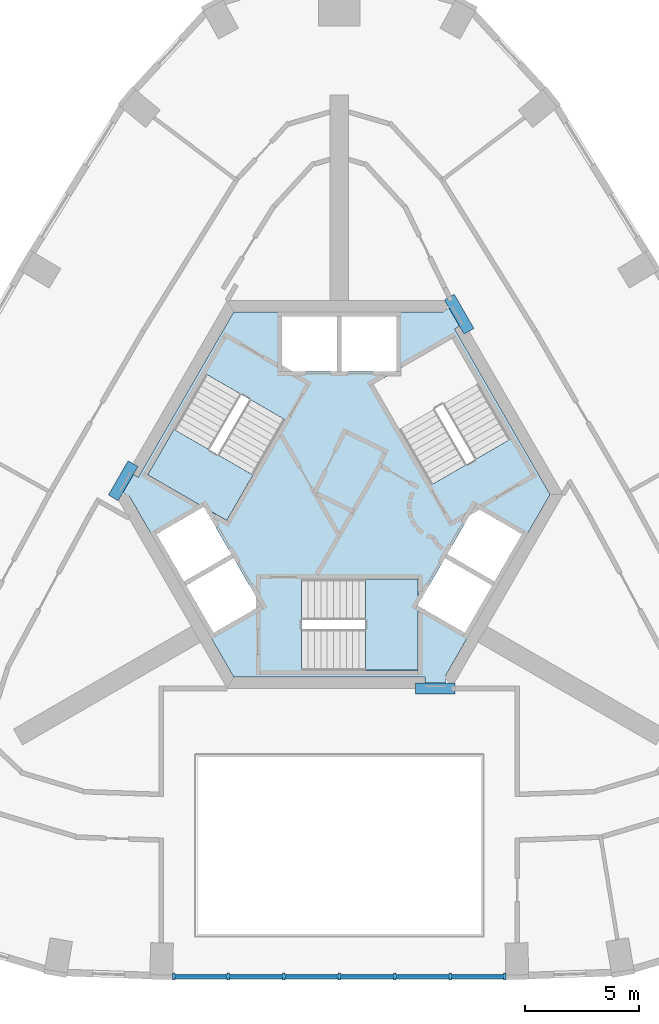
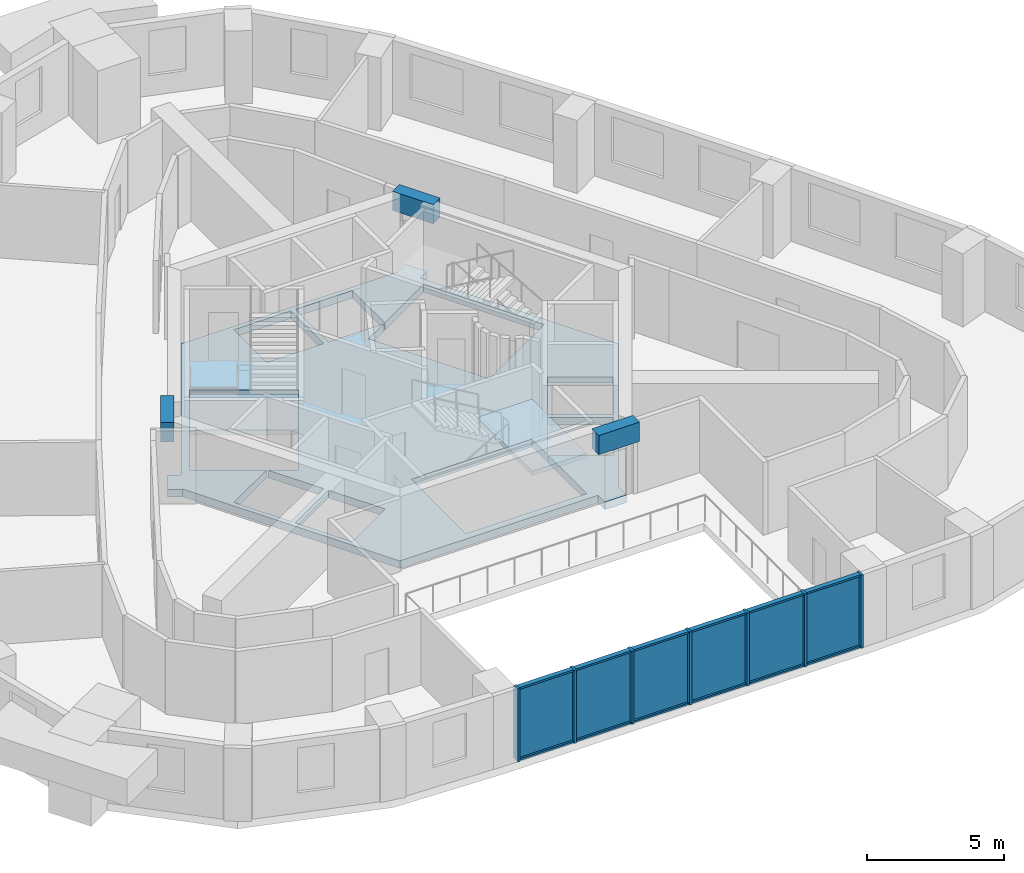
# One storey, part 2 of 9: 19 members, 6 plates, 3 beams, 3 slabs, 3 elements without a shape of their own.
"""IFC4 building model written with IfcOpenShell, lengths in metres."""

from ifc_helpers import new_model, si_unit, direction, frame, origin, origin_2d, place, context, subcontext, project, spatial, polyline, rectangle, outline, extrude, material, layer, layer_set, material_profile, profile_set, type_object, element, aggregate, save


model = new_model("IFC4")

# Units and contexts
model_context = context("Model", 3, precision=1e-05, world=origin(), true_north=direction((0.0, 1.0)))
body_context = subcontext(model_context, "Body", "Model", "MODEL_VIEW")
ifc_project = project(units=[si_unit("LENGTHUNIT", "METRE"), si_unit("AREAUNIT", "SQUARE_METRE"), si_unit("VOLUMEUNIT", "CUBIC_METRE"), si_unit("PLANEANGLEUNIT", "RADIAN"), si_unit("MASSUNIT", "GRAM", prefix="KILO")], contexts=[model_context])

# Site, building, storey
site_placement = place(None, origin())
site = spatial("IfcSite", under=ifc_project, at=site_placement, CompositionType="ELEMENT")
building_placement = place(site_placement, origin())
building = spatial("IfcBuilding", under=site, at=building_placement, Name="Entoto Arch Interchange Tower", CompositionType="ELEMENT")
storey_placement = place(building_placement, frame((0.0, 0.0, 315.199951171875)))
storey = spatial("IfcBuildingStorey", under=building, at=storey_placement, Name="L74", CompositionType="ELEMENT", Elevation=315.199951171875)

# Beams
ifc_material_1 = material(Name="Concrete C40/50", Category="concrete")
ifc_material_profile_1 = material_profile(ifc_material_1, rectangle(XDim=0.5, YDim=0.860107421875, at=origin_2d()))
ifc_profile_set_1 = profile_set([ifc_material_profile_1], Name="Concrete C40/50")
beam_type = type_object("IfcBeamType", Name="Coupling beam RC 500x860 C40/50", PredefinedType="BEAM", material=ifc_profile_set_1)
for number, where, z_axis, x_axis, name in (
    (1, (5.68603515625, 9.65087890625, 2.830078125), (-0.500105721196, 0.865964357019, 0.0), (-0.865964357019, -0.500105721196, 0.0), "Coupling beam NE L74"),
    (2, (-9.035888671875, 3.84912109375, 2.830078125), (-0.500105721196, -0.865964357019, 0.0), (0.865964357019, -0.500105721196, 0.0), "Coupling beam NW L74"),
):
    element("IfcBeam", number, at=place(storey_placement, frame(where, z_axis=z_axis, x_axis=x_axis)), inside=storey, type_object=beam_type, Name=name, PredefinedType="BEAM", context=body_context, shape_type="SweptSolid", body=[
        extrude(rectangle(XDim=0.5, YDim=0.860107421875, at=origin_2d()), origin(), (0.0, 0.0, 1.0), 1.727783203125),
    ])
beam_placement = place(storey_placement, frame((3.35009765625, -6.0, 2.830078125), z_axis=(1.0, 0.0, 0.0), x_axis=(0.0, 1.0, 0.0)))
element("IfcBeam", 3, at=beam_placement, inside=storey, type_object=beam_type, Name="Coupling beam S L74", PredefinedType="BEAM", context=body_context, shape_type="SweptSolid", body=[
    extrude(rectangle(XDim=0.5, YDim=0.860107421875, at=origin_2d()), origin(), (0.0, 0.0, 1.0), 1.725830078125),
])

# Curtain wall, members
ifc_material_2 = material(Name="Aluminium, anodised", Category="aluminium")
curtain_wall_type = type_object("IfcCurtainWallType", Name="CURTAIN WALL ATRIUM", PredefinedType="NOTDEFINED", material=ifc_material_2)
curtain_wall_placement = place(storey_placement, origin())
curtain_wall = element("IfcCurtainWall", 4, at=curtain_wall_placement, inside=storey, type_object=curtain_wall_type, Name="Atrium glazing S-02 L74", PredefinedType="NOTDEFINED")
ifc_material_profile_2 = material_profile(ifc_material_2, rectangle(XDim=0.300048828125, YDim=0.10009765625, at=origin_2d()))
ifc_profile_set_2 = profile_set([ifc_material_profile_2], Name="Aluminium, anodised")
member_type_1 = type_object("IfcMemberType", Name="MULLION ATRIUM 100x300", PredefinedType="MULLION", material=ifc_profile_set_2)
member_1_placement = place(storey_placement, frame((-7.248046875, -18.62109375, 0.0), z_axis=(0.0, 0.0, 1.0), x_axis=(0.0, 1.0, 0.0)))
member_1 = element("IfcMember", 5, at=member_1_placement, type_object=member_type_1, Name="CWA mullion 1", PredefinedType="MULLION", context=body_context, shape_type="SweptSolid", body=[
    extrude(rectangle(XDim=0.300048828125, YDim=0.10009765625, at=origin_2d()), origin(), (0.0, 0.0, 1.0), 3.260009765625),
])
member_2_placement = place(storey_placement, frame((-4.865234375, -18.62109375, 0.0), z_axis=(0.0, 0.0, 1.0), x_axis=(0.0, 1.0, 0.0)))
member_2 = element("IfcMember", 6, at=member_2_placement, type_object=member_type_1, Name="CWA mullion 2", PredefinedType="MULLION", context=body_context, shape_type="SweptSolid", body=[
    extrude(rectangle(XDim=0.300048828125, YDim=0.10009765625, at=origin_2d()), origin(), (0.0, 0.0, 1.0), 3.260009765625),
])
member_3_placement = place(storey_placement, frame((-2.4326171875, -18.62109375, 0.0), z_axis=(0.0, 0.0, 1.0), x_axis=(0.0, 1.0, 0.0)))
member_3 = element("IfcMember", 7, at=member_3_placement, type_object=member_type_1, Name="CWA mullion 3", PredefinedType="MULLION", context=body_context, shape_type="SweptSolid", body=[
    extrude(rectangle(XDim=0.300048828125, YDim=0.10009765625, at=origin_2d()), origin(), (0.0, 0.0, 1.0), 3.260009765625),
])
member_4_placement = place(storey_placement, frame((0.0, -18.62109375, 0.0), z_axis=(0.0, 0.0, 1.0), x_axis=(0.0, 1.0, 0.0)))
member_4 = element("IfcMember", 8, at=member_4_placement, type_object=member_type_1, Name="CWA mullion 4", PredefinedType="MULLION", context=body_context, shape_type="SweptSolid", body=[
    extrude(rectangle(XDim=0.300048828125, YDim=0.10009765625, at=origin_2d()), origin(), (0.0, 0.0, 1.0), 3.260009765625),
])
member_5_placement = place(storey_placement, frame((2.4326171875, -18.62109375, 0.0), z_axis=(0.0, 0.0, 1.0), x_axis=(0.0, 1.0, 0.0)))
member_5 = element("IfcMember", 9, at=member_5_placement, type_object=member_type_1, Name="CWA mullion 5", PredefinedType="MULLION", context=body_context, shape_type="SweptSolid", body=[
    extrude(rectangle(XDim=0.300048828125, YDim=0.10009765625, at=origin_2d()), origin(), (0.0, 0.0, 1.0), 3.260009765625),
])
member_6_placement = place(storey_placement, frame((4.865234375, -18.62109375, 0.0), z_axis=(0.0, 0.0, 1.0), x_axis=(0.0, 1.0, 0.0)))
member_6 = element("IfcMember", 10, at=member_6_placement, type_object=member_type_1, Name="CWA mullion 6", PredefinedType="MULLION", context=body_context, shape_type="SweptSolid", body=[
    extrude(rectangle(XDim=0.300048828125, YDim=0.10009765625, at=origin_2d()), origin(), (0.0, 0.0, 1.0), 3.260009765625),
])
member_7_placement = place(storey_placement, frame((7.248046875, -18.62109375, 0.0), z_axis=(0.0, 0.0, 1.0), x_axis=(0.0, 1.0, 0.0)))
member_7 = element("IfcMember", 11, at=member_7_placement, type_object=member_type_1, Name="CWA mullion 7", PredefinedType="MULLION", context=body_context, shape_type="SweptSolid", body=[
    extrude(rectangle(XDim=0.300048828125, YDim=0.10009765625, at=origin_2d()), origin(), (0.0, 0.0, 1.0), 3.260009765625),
])
ifc_material_profile_3 = material_profile(ifc_material_2, rectangle(XDim=0.199951171875, YDim=0.080078125, at=origin_2d()))
ifc_profile_set_3 = profile_set([ifc_material_profile_3], Name="Aluminium, anodised")
member_type_2 = type_object("IfcMemberType", Name="TRANSOM ATRIUM 80x200", PredefinedType="USERDEFINED", material=ifc_profile_set_3)
member_8_placement = place(storey_placement, frame((-7.197998046875, -18.62109375, 0.0400390625), z_axis=(1.0, 0.0, 0.0), x_axis=(0.0, 1.0, 0.0)))
member_8 = element("IfcMember", 12, at=member_8_placement, type_object=member_type_2, Name="CWA transom 1.1", ObjectType="TRANSOM", PredefinedType="USERDEFINED", context=body_context, shape_type="SweptSolid", body=[
    extrude(rectangle(XDim=0.199951171875, YDim=0.080078125, at=origin_2d()), origin(), (0.0, 0.0, 1.0), 2.28271484375),
])
member_9_placement = place(storey_placement, frame((-7.197998046875, -18.62109375, 3.219970703125), z_axis=(1.0, 0.0, 0.0), x_axis=(0.0, 1.0, 0.0)))
member_9 = element("IfcMember", 13, at=member_9_placement, type_object=member_type_2, Name="CWA transom 1.2", ObjectType="TRANSOM", PredefinedType="USERDEFINED", context=body_context, shape_type="SweptSolid", body=[
    extrude(rectangle(XDim=0.199951171875, YDim=0.080078125, at=origin_2d()), origin(), (0.0, 0.0, 1.0), 2.28271484375),
])
member_10_placement = place(storey_placement, frame((-4.8154296875, -18.62109375, 0.0400390625), z_axis=(1.0, 0.0, 0.0), x_axis=(0.0, 1.0, 0.0)))
member_10 = element("IfcMember", 14, at=member_10_placement, type_object=member_type_2, Name="CWA transom 2.1", ObjectType="TRANSOM", PredefinedType="USERDEFINED", context=body_context, shape_type="SweptSolid", body=[
    extrude(rectangle(XDim=0.199951171875, YDim=0.080078125, at=origin_2d()), origin(), (0.0, 0.0, 1.0), 2.332763671875),
])
member_11_placement = place(storey_placement, frame((-4.8154296875, -18.62109375, 3.219970703125), z_axis=(1.0, 0.0, 0.0), x_axis=(0.0, 1.0, 0.0)))
member_11 = element("IfcMember", 15, at=member_11_placement, type_object=member_type_2, Name="CWA transom 2.2", ObjectType="TRANSOM", PredefinedType="USERDEFINED", context=body_context, shape_type="SweptSolid", body=[
    extrude(rectangle(XDim=0.199951171875, YDim=0.080078125, at=origin_2d()), origin(), (0.0, 0.0, 1.0), 2.332763671875),
])
member_12_placement = place(storey_placement, frame((-2.382568359375, -18.62109375, 0.0400390625), z_axis=(1.0, 0.0, 0.0), x_axis=(0.0, 1.0, 0.0)))
member_12 = element("IfcMember", 16, at=member_12_placement, type_object=member_type_2, Name="CWA transom 3.1", ObjectType="TRANSOM", PredefinedType="USERDEFINED", context=body_context, shape_type="SweptSolid", body=[
    extrude(rectangle(XDim=0.199951171875, YDim=0.080078125, at=origin_2d()), origin(), (0.0, 0.0, 1.0), 2.33251953125),
])
member_13_placement = place(storey_placement, frame((-2.382568359375, -18.62109375, 3.219970703125), z_axis=(1.0, 0.0, 0.0), x_axis=(0.0, 1.0, 0.0)))
member_13 = element("IfcMember", 17, at=member_13_placement, type_object=member_type_2, Name="CWA transom 3.2", ObjectType="TRANSOM", PredefinedType="USERDEFINED", context=body_context, shape_type="SweptSolid", body=[
    extrude(rectangle(XDim=0.199951171875, YDim=0.080078125, at=origin_2d()), origin(), (0.0, 0.0, 1.0), 2.33251953125),
])
member_14_placement = place(storey_placement, frame((0.050048828125, -18.62109375, 0.0400390625), z_axis=(1.0, 0.0, 0.0), x_axis=(0.0, 1.0, 0.0)))
member_14 = element("IfcMember", 18, at=member_14_placement, type_object=member_type_2, Name="CWA transom 4.1", ObjectType="TRANSOM", PredefinedType="USERDEFINED", context=body_context, shape_type="SweptSolid", body=[
    extrude(rectangle(XDim=0.199951171875, YDim=0.080078125, at=origin_2d()), origin(), (0.0, 0.0, 1.0), 2.33251953125),
])
member_15_placement = place(storey_placement, frame((0.050048828125, -18.62109375, 3.219970703125), z_axis=(1.0, 0.0, 0.0), x_axis=(0.0, 1.0, 0.0)))
member_15 = element("IfcMember", 19, at=member_15_placement, type_object=member_type_2, Name="CWA transom 4.2", ObjectType="TRANSOM", PredefinedType="USERDEFINED", context=body_context, shape_type="SweptSolid", body=[
    extrude(rectangle(XDim=0.199951171875, YDim=0.080078125, at=origin_2d()), origin(), (0.0, 0.0, 1.0), 2.33251953125),
])
member_16_placement = place(storey_placement, frame((2.482666015625, -18.62109375, 0.0400390625), z_axis=(1.0, 0.0, 0.0), x_axis=(0.0, 1.0, 0.0)))
member_16 = element("IfcMember", 20, at=member_16_placement, type_object=member_type_2, Name="CWA transom 5.1", ObjectType="TRANSOM", PredefinedType="USERDEFINED", context=body_context, shape_type="SweptSolid", body=[
    extrude(rectangle(XDim=0.199951171875, YDim=0.080078125, at=origin_2d()), origin(), (0.0, 0.0, 1.0), 2.332763671875),
])
member_17_placement = place(storey_placement, frame((2.482666015625, -18.62109375, 3.219970703125), z_axis=(1.0, 0.0, 0.0), x_axis=(0.0, 1.0, 0.0)))
member_17 = element("IfcMember", 21, at=member_17_placement, type_object=member_type_2, Name="CWA transom 5.2", ObjectType="TRANSOM", PredefinedType="USERDEFINED", context=body_context, shape_type="SweptSolid", body=[
    extrude(rectangle(XDim=0.199951171875, YDim=0.080078125, at=origin_2d()), origin(), (0.0, 0.0, 1.0), 2.332763671875),
])
member_18_placement = place(storey_placement, frame((4.915283203125, -18.62109375, 0.0400390625), z_axis=(1.0, 0.0, 0.0), x_axis=(0.0, 1.0, 0.0)))
member_18 = element("IfcMember", 22, at=member_18_placement, type_object=member_type_2, Name="CWA transom 6.1", ObjectType="TRANSOM", PredefinedType="USERDEFINED", context=body_context, shape_type="SweptSolid", body=[
    extrude(rectangle(XDim=0.199951171875, YDim=0.080078125, at=origin_2d()), origin(), (0.0, 0.0, 1.0), 2.28271484375),
])
member_19_placement = place(storey_placement, frame((4.915283203125, -18.62109375, 3.219970703125), z_axis=(1.0, 0.0, 0.0), x_axis=(0.0, 1.0, 0.0)))
member_19 = element("IfcMember", 23, at=member_19_placement, type_object=member_type_2, Name="CWA transom 6.2", ObjectType="TRANSOM", PredefinedType="USERDEFINED", context=body_context, shape_type="SweptSolid", body=[
    extrude(rectangle(XDim=0.199951171875, YDim=0.080078125, at=origin_2d()), origin(), (0.0, 0.0, 1.0), 2.28271484375),
])

# Slab
ifc_layer_1 = layer(ifc_material_1, 0.340087890625)
ifc_layer_set_1 = layer_set([ifc_layer_1], Name="Concrete C40/50")
slab_type_1 = type_object("IfcSlabType", Name="Core floor slab 340 C40/50", PredefinedType="FLOOR", material=ifc_layer_set_1)
slab_1_placement = place(storey_placement, frame((0.0, 0.0, -0.33984375)))
element("IfcSlab", 24, at=slab_1_placement, inside=storey, type_object=slab_type_1, Name="Core floor slab L74", PredefinedType="FLOOR", context=body_context, shape_type="SweptSolid", body=[
    extrude(outline(polyline([(-9.208984375, 2.449951171875), (-9.222900390625, 2.425048828125), (-9.699951171875, 2.699951171875), (-9.236083984375, 3.501953125), (-8.802978515625, 3.2529296875), (-4.618896484375, 10.5), (4.56103515625, 10.5), (4.5458984375, 10.52490234375), (5.02197265625, 10.800048828125), (5.486083984375, 9.998046875), (5.052978515625, 9.748046875), (9.238037109375, 2.5), (4.64794921875, -5.449951171875), (4.676025390625, -5.449951171875), (4.676025390625, -6.0), (3.75, -6.0), (3.75, -5.5), (-4.618896484375, -5.5), (-9.208984375, 2.449951171875)]), holes=[polyline([(-1.64990234375, -5.199951171875), (3.449951171875, -5.199951171875), (3.449951171875, -2.3779296875), (5.5048828125, -3.56494140625), (6.705078125, -1.487060546875), (4.626953125, -0.287109375), (3.449951171875, -2.324951171875), (3.449951171875, -1.199951171875), (-1.64990234375, -1.199951171875), (-1.64990234375, -5.199951171875)]), polyline([(-4.626953125, -0.287109375), (-6.705078125, -1.487060546875), (-5.5048828125, -3.56494140625), (-3.427001953125, -2.364990234375), (-4.626953125, -0.287109375)]), polyline([(-5.904052734375, 1.925048828125), (-4.928955078125, 1.362060546875), (-2.37890625, 5.779052734375), (-5.843017578125, 7.779052734375), (-8.39306640625, 3.362060546875), (-5.949951171875, 1.951904296875), (-8.0048828125, 0.764892578125), (-6.804931640625, -1.31298828125), (-4.72705078125, -0.113037109375), (-5.904052734375, 1.925048828125)]), polyline([(4.72705078125, -0.113037109375), (6.804931640625, -1.31298828125), (8.0048828125, 0.764892578125), (5.927001953125, 1.965087890625), (4.72705078125, -0.113037109375)]), polyline([(2.5, 7.927001953125), (2.5, 10.300048828125), (0.10009765625, 10.300048828125), (0.10009765625, 7.89990234375), (2.452880859375, 7.89990234375), (1.47900390625, 7.337890625), (4.029052734375, 2.9208984375), (7.492919921875, 4.9208984375), (4.943115234375, 9.337890625), (2.5, 7.927001953125)]), polyline([(-2.5, 7.89990234375), (-0.10009765625, 7.89990234375), (-0.10009765625, 10.300048828125), (-2.5, 10.300048828125), (-2.5, 7.89990234375)])]), origin(), (0.0, 0.0, 1.0), 0.33984375),
])

# Stair, slab
stair_type = type_object("IfcStairType", Name="EXIT STAIR RC 1800", PredefinedType="HALF_TURN_STAIR", material=ifc_material_1)
stair_1_placement = place(storey_placement, origin())
stair_1 = element("IfcStair", 25, at=stair_1_placement, inside=storey, type_object=stair_type, Name="L74 Exit stair S", PredefinedType="HALF_TURN_STAIR")
ifc_layer_2 = layer(ifc_material_1, 0.199951171875)
ifc_layer_set_2 = layer_set([ifc_layer_2], Name="Concrete C40/50")
slab_type_2 = type_object("IfcSlabType", Name="EXIT STAIR LANDING RC 200", PredefinedType="LANDING", material=ifc_layer_set_2)
slab_2_placement = place(storey_placement, frame((0.0, 0.0, 1.60009765625)))
slab_2 = element("IfcSlab", 26, at=slab_2_placement, type_object=slab_type_2, Name="ST-S landing 1", PredefinedType="LANDING", context=body_context, shape_type="SweptSolid", body=[
    extrude(outline(polyline([(1.14990234375, -5.199951171875), (3.449951171875, -5.199951171875), (3.449951171875, -1.199951171875), (1.14990234375, -1.199951171875), (1.14990234375, -5.199951171875)])), origin(), (0.0, 0.0, 1.0), 0.199951171875),
])
aggregate(stair_1, [slab_2])

stair_2_placement = place(storey_placement, origin())
stair_2 = element("IfcStair", 27, at=stair_2_placement, inside=storey, type_object=stair_type, Name="L74 Exit stair NW", PredefinedType="HALF_TURN_STAIR")
slab_3_placement = place(storey_placement, frame((0.0, 0.0, 1.60009765625)))
slab_3 = element("IfcSlab", 28, at=slab_3_placement, type_object=slab_type_2, Name="ST-NW landing 1", PredefinedType="LANDING", context=body_context, shape_type="SweptSolid", body=[
    extrude(outline(polyline([(-7.243408203125, 5.35400390625), (-8.393310546875, 3.3623046875), (-4.92919921875, 1.3623046875), (-3.779296875, 3.35400390625), (-7.243408203125, 5.35400390625)])), origin(), (0.0, 0.0, 1.0), 0.199951171875),
])
aggregate(stair_2, [slab_3])

# Plate
ifc_material_3 = material(Name="Clear glass, low-e double glazed", Category="glass")
ifc_layer_3 = layer(ifc_material_3, 0.031982421875)
ifc_layer_set_3 = layer_set([ifc_layer_3], Name="Clear glass, low-e double glazed")
plate_type = type_object("IfcPlateType", Name="GLAZING PANEL ATRIUM 32", PredefinedType="CURTAIN_PANEL", material=ifc_layer_set_3)
plate_1_placement = place(storey_placement, frame((-6.056640625, -18.62109375, 0.080078125), z_axis=(0.0, 0.0, 1.0), x_axis=(1.0, 0.0, 0.0)))
plate_1 = element("IfcPlate", 29, at=plate_1_placement, type_object=plate_type, Name="CWA panel 1.1", PredefinedType="CURTAIN_PANEL", context=body_context, shape_type="SweptSolid", body=[
    extrude(rectangle(XDim=2.28271484375, YDim=0.031982421875, at=origin_2d()), origin(), (0.0, 0.0, 1.0), 3.10009765625),
])

plate_2_placement = place(storey_placement, frame((-3.64892578125, -18.62109375, 0.080078125), z_axis=(0.0, 0.0, 1.0), x_axis=(1.0, 0.0, 0.0)))
plate_2 = element("IfcPlate", 30, at=plate_2_placement, type_object=plate_type, Name="CWA panel 2.1", PredefinedType="CURTAIN_PANEL", context=body_context, shape_type="SweptSolid", body=[
    extrude(rectangle(XDim=2.332763671875, YDim=0.031982421875, at=origin_2d()), origin(), (0.0, 0.0, 1.0), 3.10009765625),
])

plate_3_placement = place(storey_placement, frame((-1.21630859375, -18.62109375, 0.080078125), z_axis=(0.0, 0.0, 1.0), x_axis=(1.0, 0.0, 0.0)))
plate_3 = element("IfcPlate", 31, at=plate_3_placement, type_object=plate_type, Name="CWA panel 3.1", PredefinedType="CURTAIN_PANEL", context=body_context, shape_type="SweptSolid", body=[
    extrude(rectangle(XDim=2.332763671875, YDim=0.031982421875, at=origin_2d()), origin(), (0.0, 0.0, 1.0), 3.10009765625),
])

plate_4_placement = place(storey_placement, frame((1.21630859375, -18.62109375, 0.080078125), z_axis=(0.0, 0.0, 1.0), x_axis=(1.0, 0.0, 0.0)))
plate_4 = element("IfcPlate", 32, at=plate_4_placement, type_object=plate_type, Name="CWA panel 4.1", PredefinedType="CURTAIN_PANEL", context=body_context, shape_type="SweptSolid", body=[
    extrude(rectangle(XDim=2.332763671875, YDim=0.031982421875, at=origin_2d()), origin(), (0.0, 0.0, 1.0), 3.10009765625),
])

plate_5_placement = place(storey_placement, frame((3.64892578125, -18.62109375, 0.080078125), z_axis=(0.0, 0.0, 1.0), x_axis=(1.0, 0.0, 0.0)))
plate_5 = element("IfcPlate", 33, at=plate_5_placement, type_object=plate_type, Name="CWA panel 5.1", PredefinedType="CURTAIN_PANEL", context=body_context, shape_type="SweptSolid", body=[
    extrude(rectangle(XDim=2.332763671875, YDim=0.031982421875, at=origin_2d()), origin(), (0.0, 0.0, 1.0), 3.10009765625),
])

plate_6_placement = place(storey_placement, frame((6.056640625, -18.62109375, 0.080078125), z_axis=(0.0, 0.0, 1.0), x_axis=(1.0, 0.0, 0.0)))
plate_6 = element("IfcPlate", 34, at=plate_6_placement, type_object=plate_type, Name="CWA panel 6.1", PredefinedType="CURTAIN_PANEL", context=body_context, shape_type="SweptSolid", body=[
    extrude(rectangle(XDim=2.28271484375, YDim=0.031982421875, at=origin_2d()), origin(), (0.0, 0.0, 1.0), 3.10009765625),
])

aggregate(curtain_wall, [member_1, member_2, member_3, member_4, member_5, member_6, member_7, member_8, member_9, plate_1, member_10, member_11, plate_2, member_12, member_13, plate_3, member_14, member_15, plate_4, member_16, member_17, plate_5, member_18, member_19, plate_6])

save(model, "model.ifc")
